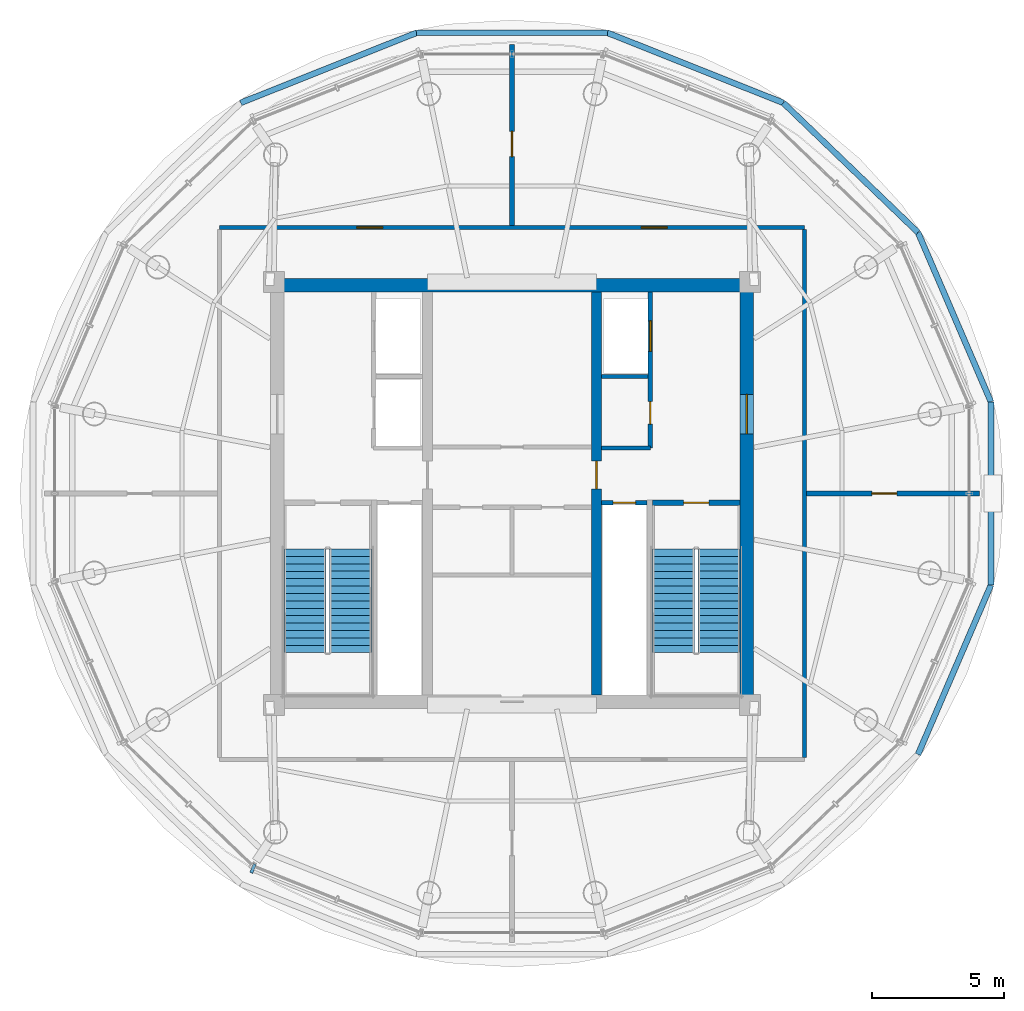
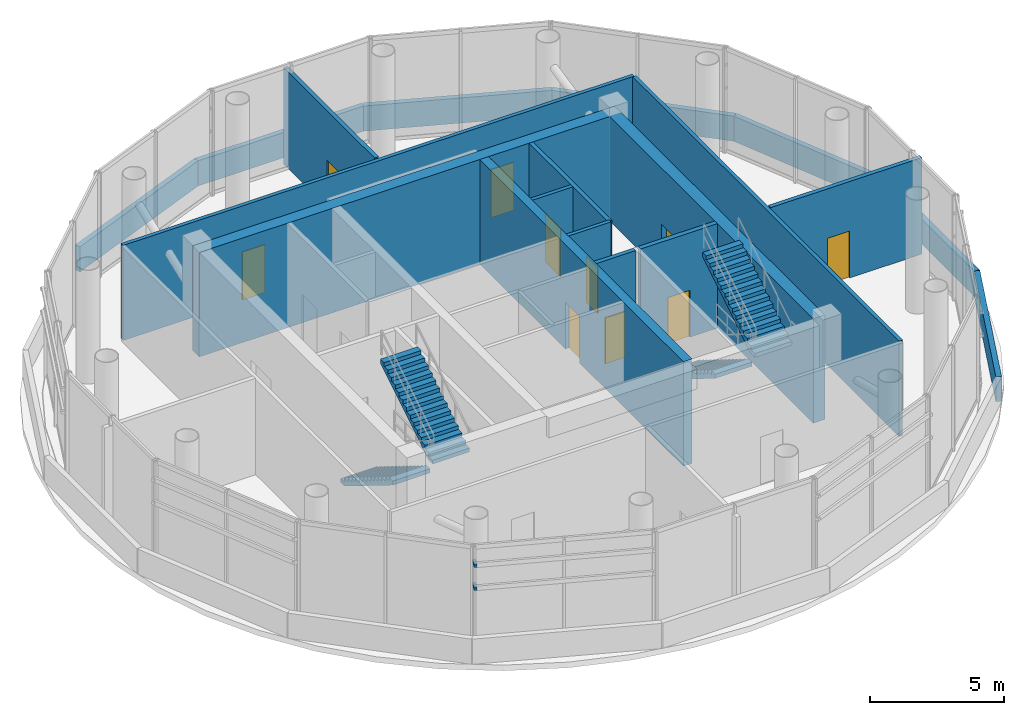
# One storey, part 12 of 15: 19 walls, 10 doors, 4 stair flights, 2 discrete accessories, 10 openings, 2 elements without a shape of their own.
"""IFC4 building model written with IfcOpenShell, lengths in metres."""

from ifc_helpers import new_model, si_unit, direction, frame, frame_2d, origin, origin_2d, place, context, subcontext, project, spatial, polyline, rectangle, outline, extrude, source, transform, mapped, material, layer, layer_set, type_object, element, fill, aggregate, save


model = new_model("IFC4")

# Units and contexts
model_context = context("Model", 3, precision=1e-05, world=origin(), true_north=direction((-0.2419218956, 0.970295726276)))
body_context = subcontext(model_context, "Body", "Model", "MODEL_VIEW")
ifc_project = project(units=[si_unit("LENGTHUNIT", "METRE"), si_unit("AREAUNIT", "SQUARE_METRE"), si_unit("VOLUMEUNIT", "CUBIC_METRE"), si_unit("PLANEANGLEUNIT", "RADIAN"), si_unit("MASSUNIT", "GRAM", prefix="KILO")], contexts=[model_context])

# Site, building, storey
site_placement = place(None, origin())
site = spatial("IfcSite", under=ifc_project, at=site_placement, CompositionType="ELEMENT")
building_placement = place(site_placement, origin())
building = spatial("IfcBuilding", under=site, at=building_placement, Name="Cobrevalo Terracotta Tower", CompositionType="ELEMENT")
storey_placement = place(building_placement, frame((0.0, 0.0, 306.10009765625)))
storey = spatial("IfcBuildingStorey", under=building, at=storey_placement, Name="L80", CompositionType="ELEMENT", Elevation=306.10009765625)

# Wall
ifc_material_1 = material(Name="Concrete C50", Category="concrete")
ifc_layer_1 = layer(ifc_material_1, 0.5)
ifc_layer_set_1 = layer_set([ifc_layer_1], Name="Concrete C50")
wall_type_1 = type_object("IfcWallType", Name="Crown core shear wall 500 mm Concrete C50", PredefinedType="SHEAR", material=ifc_layer_set_1)
wall_1_placement = place(storey_placement, frame((28.875, 34.675048828125, 0.0), z_axis=(0.0, 0.0, 1.0), x_axis=(1.0, 0.0, 0.0)))
element("IfcWall", 1, at=wall_1_placement, inside=storey, type_object=wall_type_1, Name="L80 north core shear wall", PredefinedType="SHEAR", context=body_context, shape_type="SweptSolid", body=[
    extrude(rectangle(XDim=18.25, YDim=0.5, at=frame_2d((9.125, 0.0))), origin(), (0.0, 0.0, 1.0), 4.77978515625),
])

# Wall, opening, door
wall_2_placement = place(storey_placement, frame((46.875, 19.175048828125, 0.0), z_axis=(0.0, 0.0, 1.0), x_axis=(0.0, 1.0, 0.0)))
wall_2 = element("IfcWall", 2, at=wall_2_placement, inside=storey, type_object=wall_type_1, Name="L80 east core shear wall", PredefinedType="SHEAR", context=body_context, shape_type="SweptSolid", body=[
    extrude(rectangle(XDim=15.25, YDim=0.5, at=frame_2d((7.625, 0.0))), origin(), (0.0, 0.0, 1.0), 4.77978515625),
])
opening_1_placement = place(wall_2_placement, frame((9.875, 0.0, 0.0)))
opening_1 = element("IfcOpeningElement", 3, at=opening_1_placement, cuts=wall_2, Name="Opening ID-14", PredefinedType="OPENING", context=body_context, shape_type="SweptSolid", body=[
    extrude(rectangle(XDim=1.5, YDim=2.199951171875, at=frame_2d((0.75, 1.10009765625))), frame((0.0, 0.260009765625, 0.0), z_axis=(0.0, -1.0, 0.0), x_axis=(1.0, 0.0, 0.0)), (0.0, 0.0, 1.0), 0.52001953125),
])
ifc_material_2 = material(Name="Galvanized fire-rated steel", Category="steel")
door_type_1 = type_object("IfcDoorType", Name="Core cross-lobby double fire door 1500x2200 EI 90", OperationType="NOTDEFINED", PredefinedType="DOOR", material=ifc_material_2)
shared_shape_1 = source(origin(), body_context, "Body", "SweptSolid", [
    extrude(rectangle(XDim=1.5, YDim=2.199951171875, at=frame_2d((0.75, 1.10009765625))), frame((0.0, 0.02490234375, 0.0), z_axis=(0.0, -1.0, 0.0), x_axis=(1.0, 0.0, 0.0)), (0.0, 0.0, 1.0), 0.050048828125),
])
door_1_placement = place(opening_1_placement, frame((1.5, 0.0, 0.0), z_axis=(0.0, 0.0, 1.0), x_axis=(-1.0, 0.0, 0.0)))
door_1 = element("IfcDoor", 4, at=door_1_placement, inside=storey, type_object=door_type_1, Name="L80 east firefighting lobby entrance door", OperationType="DOUBLE_DOOR_SINGLE_SWING", OverallHeight=2.199951171875, OverallWidth=1.5, PredefinedType="DOOR", context=body_context, shape_type="MappedRepresentation", body=[
    mapped(shared_shape_1, transform((0.0, 0.0, 0.0), scale=1.0)),
])
fill(opening_1, door_1)

# Walls
ifc_material_3 = material(Name="Gypsum board on steel stud", Category="steel")
ifc_layer_2 = layer(ifc_material_3, 0.159912109375)
ifc_layer_set_2 = layer_set([ifc_layer_2], Name="Gypsum board on steel stud")
wall_type_2 = type_object("IfcWallType", Name="Fire-rated corridor acoustic partition wall 160 mm", PredefinedType="PARTITIONING", material=ifc_layer_set_2)
wall_3_placement = place(storey_placement, frame((41.389892578125, 31.219970703125, 0.0), z_axis=(0.0, 0.0, 1.0), x_axis=(1.0, 0.0, 0.0)))
element("IfcWall", 5, at=wall_3_placement, inside=storey, type_object=wall_type_2, Name="L80 interior partition IW-L80-FF2-M", PredefinedType="PARTITIONING", context=body_context, shape_type="SweptSolid", body=[
    extrude(rectangle(XDim=1.75, YDim=0.159912109375, at=frame_2d((0.875, 0.0))), origin(), (0.0, 0.0, 1.0), 4.77978515625),
])
wall_4_placement = place(storey_placement, frame((41.389892578125, 28.52001953125, 0.0), z_axis=(0.0, 0.0, 1.0), x_axis=(1.0, 0.0, 0.0)))
element("IfcWall", 6, at=wall_4_placement, inside=storey, type_object=wall_type_2, Name="L80 interior partition IW-L80-FF2-S", PredefinedType="PARTITIONING", context=body_context, shape_type="SweptSolid", body=[
    extrude(rectangle(XDim=1.840087890625, YDim=0.159912109375, at=frame_2d((0.919921875, 0.0))), origin(), (0.0, 0.0, 1.0), 4.77978515625),
])

# Wall, openings, doors
wall_5_placement = place(storey_placement, frame((26.945068359375, 36.85498046875, 0.0), z_axis=(0.0, 0.0, 1.0), x_axis=(1.0, 0.0, 0.0)))
wall_5 = element("IfcWall", 7, at=wall_5_placement, inside=storey, type_object=wall_type_2, Name="L80 interior partition IW-L80-COR-N", PredefinedType="PARTITIONING", context=body_context, shape_type="SweptSolid", body=[
    extrude(rectangle(XDim=22.10986328125, YDim=0.159912109375, at=frame_2d((11.054931640625, 0.0))), origin(), (0.0, 0.0, 1.0), 4.351806640625),
])
opening_2_placement = place(wall_5_placement, frame((15.943115234375, 0.0, 0.0)))
opening_2 = element("IfcOpeningElement", 8, at=opening_2_placement, cuts=wall_5, Name="Opening ID-05", PredefinedType="OPENING", context=body_context, shape_type="SweptSolid", body=[
    extrude(rectangle(XDim=0.97998046875, YDim=2.199951171875, at=frame_2d((0.489990234375, 1.10009765625))), frame((0.0, 0.08984375, 0.0), z_axis=(0.0, -1.0, 0.0), x_axis=(1.0, 0.0, 0.0)), (0.0, 0.0, 1.0), 0.179931640625),
])
opening_3_placement = place(wall_5_placement, frame((5.18701171875, 0.0, 0.0)))
opening_3 = element("IfcOpeningElement", 9, at=opening_3_placement, cuts=wall_5, Name="Opening ID-05", PredefinedType="OPENING", context=body_context, shape_type="SweptSolid", body=[
    extrude(rectangle(XDim=0.97998046875, YDim=2.199951171875, at=frame_2d((0.489990234375, 1.10009765625))), frame((0.0, 0.08984375, 0.0), z_axis=(0.0, -1.0, 0.0), x_axis=(1.0, 0.0, 0.0)), (0.0, 0.0, 1.0), 0.179931640625),
])
ifc_material_4 = material(Name="Solid hardwood timber", Category="wood")
door_type_2 = type_object("IfcDoorType", Name="Residence entrance fire-rated acoustic timber door 980x2200 EI 60", OperationType="NOTDEFINED", PredefinedType="DOOR", material=ifc_material_4)
shared_shape_2 = source(origin(), body_context, "Body", "SweptSolid", [
    extrude(rectangle(XDim=0.97998046875, YDim=2.199951171875, at=frame_2d((0.489990234375, 1.10009765625))), frame((0.0, 0.02490234375, 0.0), z_axis=(0.0, -1.0, 0.0), x_axis=(1.0, 0.0, 0.0)), (0.0, 0.0, 1.0), 0.050048828125),
])
door_2_placement = place(opening_2_placement, origin())
door_2 = element("IfcDoor", 10, at=door_2_placement, inside=storey, type_object=door_type_2, Name="L80 Crown Cooling Tower Plant door", OperationType="SINGLE_SWING_LEFT", OverallHeight=2.199951171875, OverallWidth=0.97998046875, PredefinedType="DOOR", context=body_context, shape_type="MappedRepresentation", body=[
    mapped(shared_shape_2, transform((0.0, 0.0, 0.0), scale=1.0)),
])
fill(opening_2, door_2)
door_3_placement = place(opening_3_placement, origin())
door_3 = element("IfcDoor", 11, at=door_3_placement, inside=storey, type_object=door_type_2, Name="L80 Crown Chiller Plant door", OperationType="SINGLE_SWING_RIGHT", OverallHeight=2.199951171875, OverallWidth=0.97998046875, PredefinedType="DOOR", context=body_context, shape_type="MappedRepresentation", body=[
    mapped(shared_shape_2, transform((0.0, 0.0, 0.0), scale=1.0)),
])
fill(opening_3, door_3)

# Wall
wall_6_placement = place(storey_placement, frame((49.054931640625, 16.824951171875, 0.0), z_axis=(0.0, 0.0, 1.0), x_axis=(0.0, 1.0, 0.0)))
element("IfcWall", 12, at=wall_6_placement, inside=storey, type_object=wall_type_2, Name="L80 interior partition IW-L80-COR-E", PredefinedType="PARTITIONING", context=body_context, shape_type="SweptSolid", body=[
    extrude(rectangle(XDim=19.949951171875, YDim=0.159912109375, at=frame_2d((9.97509765625, 0.0))), origin(), (0.0, 0.0, 1.0), 4.351806640625),
])

# Wall, opening, door
ifc_layer_3 = layer(ifc_material_3, 0.179931640625)
ifc_layer_set_3 = layer_set([ifc_layer_3], Name="Gypsum board on steel stud")
wall_type_3 = type_object("IfcWallType", Name="Fire-rated shaft & lobby acoustic partition wall 180 mm", PredefinedType="PARTITIONING", material=ifc_layer_set_3)
wall_7_placement = place(storey_placement, frame((41.389892578125, 26.449951171875, 0.0), z_axis=(0.0, 0.0, 1.0), x_axis=(1.0, 0.0, 0.0)))
wall_7 = element("IfcWall", 13, at=wall_7_placement, inside=storey, type_object=wall_type_3, Name="L80 interior partition IW-L80-RSE-N", PredefinedType="PARTITIONING", context=body_context, shape_type="SweptSolid", body=[
    extrude(rectangle(XDim=1.710205078125, YDim=0.179931640625, at=frame_2d((0.85498046875, 0.0))), origin(), (0.0, 0.0, 1.0), 4.77978515625),
])
opening_4_placement = place(wall_7_placement, frame((0.429931640625, 0.0, 0.0)))
opening_4 = element("IfcOpeningElement", 14, at=opening_4_placement, cuts=wall_7, Name="Opening ID-22", PredefinedType="OPENING", context=body_context, shape_type="SweptSolid", body=[
    extrude(rectangle(XDim=0.85009765625, YDim=2.10009765625, at=frame_2d((0.425048828125, 1.050048828125))), frame((0.0, 0.10009765625, 0.0), z_axis=(0.0, -1.0, 0.0), x_axis=(1.0, 0.0, 0.0)), (0.0, 0.0, 1.0), 0.199951171875),
])
ifc_material_5 = material(Name="Powder-coated steel", Category="steel")
door_type_3 = type_object("IfcDoorType", Name="Riser shaft & meter closet fire access door 850x2100 EI 60", OperationType="NOTDEFINED", PredefinedType="DOOR", material=ifc_material_5)
shared_shape_3 = source(origin(), body_context, "Body", "SweptSolid", [
    extrude(rectangle(XDim=0.85009765625, YDim=2.10009765625, at=frame_2d((0.425048828125, 1.050048828125))), frame((0.0, 0.02490234375, 0.0), z_axis=(0.0, -1.0, 0.0), x_axis=(1.0, 0.0, 0.0)), (0.0, 0.0, 1.0), 0.050048828125),
])
door_4_placement = place(opening_4_placement, origin())
door_4 = element("IfcDoor", 15, at=door_4_placement, inside=storey, type_object=door_type_3, Name="L80 riser access door RSE", OperationType="SINGLE_SWING_RIGHT", OverallHeight=2.10009765625, OverallWidth=0.85009765625, PredefinedType="DOOR", context=body_context, shape_type="MappedRepresentation", body=[
    mapped(shared_shape_3, transform((0.0, 0.0, 0.0), scale=1.0)),
])
fill(opening_4, door_4)

# Wall, openings, doors
wall_8_placement = place(storey_placement, frame((43.22998046875, 28.52001953125, 0.0), z_axis=(0.0, 0.0, 1.0), x_axis=(0.0, 1.0, 0.0)))
wall_8 = element("IfcWall", 16, at=wall_8_placement, inside=storey, type_object=wall_type_3, Name="L80 interior partition IW-L80-FF2-E", PredefinedType="PARTITIONING", context=body_context, shape_type="SweptSolid", body=[
    extrude(rectangle(XDim=5.905029296875, YDim=0.179931640625, at=frame_2d((2.95263671875, 0.0))), origin(), (0.0, 0.0, 1.0), 4.77978515625),
])
opening_5_placement = place(wall_8_placement, frame((0.905029296875, 0.0, 0.0)))
opening_5 = element("IfcOpeningElement", 17, at=opening_5_placement, cuts=wall_8, Name="Opening ID-22", PredefinedType="OPENING", context=body_context, shape_type="SweptSolid", body=[
    extrude(rectangle(XDim=0.85009765625, YDim=2.10009765625, at=frame_2d((0.425048828125, 1.050048828125))), frame((0.0, 0.10009765625, 0.0), z_axis=(0.0, -1.0, 0.0), x_axis=(1.0, 0.0, 0.0)), (0.0, 0.0, 1.0), 0.199951171875),
])
opening_6_placement = place(wall_8_placement, frame((3.655029296875, 0.0, 0.0)))
opening_6 = element("IfcOpeningElement", 18, at=opening_6_placement, cuts=wall_8, Name="Opening LD-02", PredefinedType="OPENING", context=body_context, shape_type="SweptSolid", body=[
    extrude(rectangle(XDim=1.14990234375, YDim=2.199951171875, at=frame_2d((0.574951171875, 1.10009765625))), frame((0.0, 0.10009765625, 0.0), z_axis=(0.0, -1.0, 0.0), x_axis=(1.0, 0.0, 0.0)), (0.0, 0.0, 1.0), 0.199951171875),
])
door_5_placement = place(opening_5_placement, frame((0.85009765625, 0.0, 0.0), z_axis=(0.0, 0.0, 1.0), x_axis=(-1.0, 0.0, 0.0)))
door_5 = element("IfcDoor", 19, at=door_5_placement, inside=storey, type_object=door_type_3, Name="L80 housekeeping store door", OperationType="SINGLE_SWING_RIGHT", OverallHeight=2.10009765625, OverallWidth=0.85009765625, PredefinedType="DOOR", context=body_context, shape_type="MappedRepresentation", body=[
    mapped(shared_shape_3, transform((0.0, 0.0, 0.0), scale=1.0)),
])
fill(opening_5, door_5)
ifc_material_6 = material(Name="Brushed stainless steel", Category="steel")
door_type_4 = type_object("IfcDoorType", Name="Firefighting lift landing bi-parting sliding door 1150x2200 EI 120", OperationType="DOUBLE_DOOR_SLIDING", PredefinedType="DOOR", material=ifc_material_6)
shared_shape_4 = source(origin(), body_context, "Body", "SweptSolid", [
    extrude(rectangle(XDim=1.14990234375, YDim=2.199951171875, at=frame_2d((0.574951171875, 1.10009765625))), frame((0.0, 0.02490234375, 0.0), z_axis=(0.0, -1.0, 0.0), x_axis=(1.0, 0.0, 0.0)), (0.0, 0.0, 1.0), 0.050048828125),
])
door_6_placement = place(opening_6_placement, origin())
door_6 = element("IfcDoor", 20, at=door_6_placement, inside=storey, type_object=door_type_4, Name="L80 lift landing door FF-2", OperationType="DOUBLE_DOOR_SLIDING", OverallHeight=2.199951171875, OverallWidth=1.14990234375, PredefinedType="DOOR", context=body_context, shape_type="MappedRepresentation", body=[
    mapped(shared_shape_4, transform((0.0, 0.0, 0.0), scale=1.0)),
])
fill(opening_6, door_6)

# Wall, opening, door
wall_9_placement = place(storey_placement, frame((49.136962890625, 26.800048828125, 0.0), z_axis=(0.0, 0.0, 1.0), x_axis=(1.0, 0.0, 0.0)))
wall_9 = element("IfcWall", 21, at=wall_9_placement, inside=storey, type_object=wall_type_3, Name="L80 interior partition IW-L80-CW1", PredefinedType="PARTITIONING", context=body_context, shape_type="SweptSolid", body=[
    extrude(rectangle(XDim=6.532958984375, YDim=0.179931640625, at=frame_2d((3.2666015625, 0.0))), origin(), (0.0, 0.0, 1.0), 4.410888671875),
])
opening_7_placement = place(wall_9_placement, frame((2.46484375, 0.0, 0.0)))
opening_7 = element("IfcOpeningElement", 22, at=opening_7_placement, cuts=wall_9, Name="Opening ID-04", PredefinedType="OPENING", context=body_context, shape_type="SweptSolid", body=[
    extrude(rectangle(XDim=0.949951171875, YDim=2.14990234375, at=frame_2d((0.47509765625, 1.074951171875))), frame((0.0, 0.10009765625, 0.0), z_axis=(0.0, -1.0, 0.0), x_axis=(1.0, 0.0, 0.0)), (0.0, 0.0, 1.0), 0.199951171875),
])
door_type_5 = type_object("IfcDoorType", Name="Stair & firefighting lobby fire door 950x2150 EI 90", OperationType="NOTDEFINED", PredefinedType="DOOR", material=ifc_material_2)
shared_shape_5 = source(origin(), body_context, "Body", "SweptSolid", [
    extrude(rectangle(XDim=0.949951171875, YDim=2.14990234375, at=frame_2d((0.47509765625, 1.074951171875))), frame((0.0, 0.02490234375, 0.0), z_axis=(0.0, -1.0, 0.0), x_axis=(1.0, 0.0, 0.0)), (0.0, 0.0, 1.0), 0.050048828125),
])
door_7_placement = place(opening_7_placement, origin())
door_7 = element("IfcDoor", 23, at=door_7_placement, inside=storey, type_object=door_type_5, Name="L80 crown plant interconnecting fire door 1", OperationType="SINGLE_SWING_LEFT", OverallHeight=2.14990234375, OverallWidth=0.949951171875, PredefinedType="DOOR", context=body_context, shape_type="MappedRepresentation", body=[
    mapped(shared_shape_5, transform((0.0, 0.0, 0.0), scale=1.0)),
])
fill(opening_7, door_7)

wall_10_placement = place(storey_placement, frame((38.0, 36.93701171875, 0.0), z_axis=(0.0, 0.0, 1.0), x_axis=(0.0, 1.0, 0.0)))
wall_10 = element("IfcWall", 24, at=wall_10_placement, inside=storey, type_object=wall_type_3, Name="L80 interior partition IW-L80-CW2", PredefinedType="PARTITIONING", context=body_context, shape_type="SweptSolid", body=[
    extrude(rectangle(XDim=6.8330078125, YDim=0.179931640625, at=frame_2d((3.41650390625, 0.0))), origin(), (0.0, 0.0, 1.0), 4.410888671875),
])
opening_8_placement = place(wall_10_placement, frame((2.599853515625, 0.0, 0.0)))
opening_8 = element("IfcOpeningElement", 25, at=opening_8_placement, cuts=wall_10, Name="Opening ID-04", PredefinedType="OPENING", context=body_context, shape_type="SweptSolid", body=[
    extrude(rectangle(XDim=0.949951171875, YDim=2.14990234375, at=frame_2d((0.47509765625, 1.074951171875))), frame((0.0, 0.10009765625, 0.0), z_axis=(0.0, -1.0, 0.0), x_axis=(1.0, 0.0, 0.0)), (0.0, 0.0, 1.0), 0.199951171875),
])
door_8_placement = place(opening_8_placement, origin())
door_8 = element("IfcDoor", 26, at=door_8_placement, inside=storey, type_object=door_type_5, Name="L80 crown plant interconnecting fire door 2", OperationType="SINGLE_SWING_LEFT", OverallHeight=2.14990234375, OverallWidth=0.949951171875, PredefinedType="DOOR", context=body_context, shape_type="MappedRepresentation", body=[
    mapped(shared_shape_5, transform((0.0, 0.0, 0.0), scale=1.0)),
])
fill(opening_8, door_8)

ifc_layer_4 = layer(ifc_material_1, 0.3798828125)
ifc_layer_set_4 = layer_set([ifc_layer_4], Name="Concrete C50")
wall_type_4 = type_object("IfcWallType", Name="Internal core shear web wall 380 mm Concrete C50", PredefinedType="SHEAR", material=ifc_layer_set_4)
wall_11_placement = place(storey_placement, frame((41.199951171875, 19.175048828125, 0.0), z_axis=(0.0, 0.0, 1.0), x_axis=(0.0, 1.0, 0.0)))
wall_11 = element("IfcWall", 27, at=wall_11_placement, inside=storey, type_object=wall_type_4, Name="L80 internal core shear wall WEB-E", PredefinedType="SHEAR", context=body_context, shape_type="SweptSolid", body=[
    extrude(rectangle(XDim=15.25, YDim=0.3798828125, at=frame_2d((7.625, 0.0))), origin(), (0.0, 0.0, 1.0), 4.77978515625),
])
opening_9_placement = place(wall_11_placement, frame((7.800048828125, 0.0, 0.0)))
opening_9 = element("IfcOpeningElement", 28, at=opening_9_placement, cuts=wall_11, Name="Opening ID-11", PredefinedType="OPENING", context=body_context, shape_type="SweptSolid", body=[
    extrude(rectangle(XDim=1.050048828125, YDim=2.14990234375, at=frame_2d((0.52490234375, 1.074951171875))), frame((0.0, 0.199951171875, 0.0), z_axis=(0.0, -1.0, 0.0), x_axis=(1.0, 0.0, 0.0)), (0.0, 0.0, 1.0), 0.39990234375),
])
door_type_6 = type_object("IfcDoorType", Name="Core concourse cross fire door 1050x2150 EI 90", OperationType="NOTDEFINED", PredefinedType="DOOR", material=ifc_material_2)
shared_shape_6 = source(origin(), body_context, "Body", "SweptSolid", [
    extrude(rectangle(XDim=1.050048828125, YDim=2.14990234375, at=frame_2d((0.52490234375, 1.074951171875))), frame((0.0, 0.02490234375, 0.0), z_axis=(0.0, -1.0, 0.0), x_axis=(1.0, 0.0, 0.0)), (0.0, 0.0, 1.0), 0.050048828125),
])
door_9_placement = place(opening_9_placement, frame((1.050048828125, 0.0, 0.0), z_axis=(0.0, 0.0, 1.0), x_axis=(-1.0, 0.0, 0.0)))
door_9 = element("IfcDoor", 29, at=door_9_placement, inside=storey, type_object=door_type_6, Name="L80 east core concourse cross door", OperationType="SINGLE_SWING_RIGHT", OverallHeight=2.14990234375, OverallWidth=1.050048828125, PredefinedType="DOOR", context=body_context, shape_type="MappedRepresentation", body=[
    mapped(shared_shape_6, transform((0.0, 0.0, 0.0), scale=1.0)),
])
fill(opening_9, door_9)

# Walls
ifc_material_7 = material(Name="Precast concrete C45", Category="concrete")
ifc_layer_5 = layer(ifc_material_7, 0.219970703125)
ifc_layer_set_5 = layer_set([ifc_layer_5], Name="Precast concrete C45")
wall_type_5 = type_object("IfcWallType", Name="Precast concrete roof and setback terrace parapet wall 220 mm", PredefinedType="PARAPET", material=ifc_layer_set_5)
wall_12_placement = place(storey_placement, frame((56.105224609375, 30.264892578125, 0.0), z_axis=(0.0, 0.0, 1.0), x_axis=(-0.39544480712, 0.918489741109, 0.0)))
element("IfcWall", 30, at=wall_12_placement, inside=storey, type_object=wall_type_5, Name="L80 crown step-back parapet 01", PredefinedType="PARAPET", context=body_context, shape_type="SweptSolid", body=[
    extrude(rectangle(XDim=6.97021484375, YDim=0.219970703125, at=frame_2d((3.485107421875, 0.0))), origin(), (0.0, 0.0, 1.0), 1.14990234375),
])
wall_13_placement = place(storey_placement, frame((53.348876953125, 36.6669921875, 0.0), z_axis=(0.0, 0.0, 1.0), x_axis=(-0.720637211965, 0.693312345723, 0.0)))
element("IfcWall", 31, at=wall_13_placement, inside=storey, type_object=wall_type_5, Name="L80 crown step-back parapet 02", PredefinedType="PARAPET", context=body_context, shape_type="SweptSolid", body=[
    extrude(rectangle(XDim=7.0673828125, YDim=0.219970703125, at=frame_2d((3.53369140625, 0.0))), origin(), (0.0, 0.0, 1.0), 1.14990234375),
])
wall_14_placement = place(storey_placement, frame((48.255859375, 41.56689453125, 0.0), z_axis=(0.0, 0.0, 1.0), x_axis=(-0.928955406434, 0.370191643419, 0.0)))
element("IfcWall", 32, at=wall_14_placement, inside=storey, type_object=wall_type_5, Name="L80 crown step-back parapet 03", PredefinedType="PARAPET", context=body_context, shape_type="SweptSolid", body=[
    extrude(rectangle(XDim=7.16357421875, YDim=0.219970703125, at=frame_2d((3.581787109375, 0.0))), origin(), (0.0, 0.0, 1.0), 1.14990234375),
])
wall_15_placement = place(storey_placement, frame((41.601318359375, 44.21875, 0.0), z_axis=(0.0, 0.0, 1.0), x_axis=(-1.0, 0.0, 0.0)))
element("IfcWall", 33, at=wall_15_placement, inside=storey, type_object=wall_type_5, Name="L80 crown step-back parapet 04", PredefinedType="PARAPET", context=body_context, shape_type="SweptSolid", body=[
    extrude(rectangle(XDim=7.20263671875, YDim=0.219970703125, at=frame_2d((3.601318359375, 0.0))), origin(), (0.0, 0.0, 1.0), 1.14990234375),
])
wall_16_placement = place(storey_placement, frame((34.398681640625, 44.21875, 0.0), z_axis=(0.0, 0.0, 1.0), x_axis=(-0.928955406434, -0.370191643419, 0.0)))
element("IfcWall", 34, at=wall_16_placement, inside=storey, type_object=wall_type_5, Name="L80 crown step-back parapet 05", PredefinedType="PARAPET", context=body_context, shape_type="SweptSolid", body=[
    extrude(rectangle(XDim=7.16357421875, YDim=0.219970703125, at=frame_2d((3.581787109375, 0.0))), origin(), (0.0, 0.0, 1.0), 1.14990234375),
])
wall_17_placement = place(storey_placement, frame((53.348876953125, 16.93310546875, 0.0), z_axis=(0.0, 0.0, 1.0), x_axis=(0.39544480712, 0.918489741109, 0.0)))
element("IfcWall", 35, at=wall_17_placement, inside=storey, type_object=wall_type_5, Name="L80 crown step-back parapet 15", PredefinedType="PARAPET", context=body_context, shape_type="SweptSolid", body=[
    extrude(rectangle(XDim=6.97021484375, YDim=0.219970703125, at=frame_2d((3.485107421875, 0.0))), origin(), (0.0, 0.0, 1.0), 1.14990234375),
])
wall_18_placement = place(storey_placement, frame((56.105224609375, 23.335205078125, 0.0), z_axis=(0.0, 0.0, 1.0), x_axis=(0.0, 1.0, 0.0)))
element("IfcWall", 36, at=wall_18_placement, inside=storey, type_object=wall_type_5, Name="L80 crown step-back parapet 16", PredefinedType="PARAPET", context=body_context, shape_type="SweptSolid", body=[
    extrude(rectangle(XDim=6.9296875, YDim=0.219970703125, at=frame_2d((3.46484375, 0.0))), origin(), (0.0, 0.0, 1.0), 1.14990234375),
])

# Wall, opening, door
ifc_layer_6 = layer(ifc_material_1, 0.199951171875)
ifc_layer_set_6 = layer_set([ifc_layer_6], Name="Concrete C50")
wall_type_6 = type_object("IfcWallType", Name="Structural core & podium stair-shaft RC wall 200 mm Concrete C50", PredefinedType="SOLIDWALL", material=ifc_layer_set_6)
wall_19_placement = place(storey_placement, frame((43.304931640625, 26.449951171875, 0.0), z_axis=(0.0, 0.0, 1.0), x_axis=(1.0, 0.0, 0.0)))
wall_19 = element("IfcWall", 37, at=wall_19_placement, inside=storey, type_object=wall_type_6, Name="L80 ST-2 north structural shaft wall", PredefinedType="SOLIDWALL", context=body_context, shape_type="SweptSolid", body=[
    extrude(rectangle(XDim=3.320068359375, YDim=0.199951171875, at=frame_2d((1.66015625, 0.0))), origin(), (0.0, 0.0, 1.0), 4.77978515625),
])
opening_10_placement = place(wall_19_placement, frame((1.18505859375, 0.0, 0.0)))
opening_10 = element("IfcOpeningElement", 38, at=opening_10_placement, cuts=wall_19, Name="Opening ID-04", PredefinedType="OPENING", context=body_context, shape_type="SweptSolid", body=[
    extrude(rectangle(XDim=0.949951171875, YDim=2.14990234375, at=frame_2d((0.47509765625, 1.074951171875))), frame((0.0, 0.10986328125, 0.0), z_axis=(0.0, -1.0, 0.0), x_axis=(1.0, 0.0, 0.0)), (0.0, 0.0, 1.0), 0.219970703125),
])
door_10_placement = place(opening_10_placement, frame((0.949951171875, 0.0, 0.0), z_axis=(0.0, 0.0, 1.0), x_axis=(-1.0, 0.0, 0.0)))
door_10 = element("IfcDoor", 39, at=door_10_placement, inside=storey, type_object=door_type_5, Name="L80 protected stair ST2 fire door", OperationType="SINGLE_SWING_RIGHT", OverallHeight=2.14990234375, OverallWidth=0.949951171875, PredefinedType="DOOR", context=body_context, shape_type="MappedRepresentation", body=[
    mapped(shared_shape_5, transform((0.0, 0.0, 0.0), scale=1.0)),
])
fill(opening_10, door_10)

# Stair, stair flights
stair_type = type_object("IfcStairType", Name="Core protected escape dogleg stair 1600", PredefinedType="HALF_TURN_STAIR", material=ifc_material_1)
stair_1_placement = place(storey_placement, origin())
stair_1 = element("IfcStair", 40, at=stair_1_placement, inside=storey, type_object=stair_type, Name="L80 Protected exit stair ST-1", PredefinedType="HALF_TURN_STAIR")
stair_flight_type = type_object("IfcStairFlightType", Name="Core protected escape dogleg stair 1600 flight", PredefinedType="STRAIGHT", material=ifc_material_1)
stair_flight_1_placement = place(storey_placement, frame((30.175048828125, 24.699951171875, 0.0), z_axis=(0.0, 0.0, 1.0), x_axis=(0.0, -1.0, 0.0)))
stair_flight_1 = element("IfcStairFlight", 41, at=stair_flight_1_placement, type_object=stair_flight_type, Name="ST-1 flight 1", NumberOfRisers=15, NumberOfTreads=14, PredefinedType="STRAIGHT", RiserHeight=0.173333333, TreadLength=0.28, context=body_context, shape_type="SweptSolid", body=[
    extrude(outline(polyline([(0.0, 0.0), (0.0, 0.17333984375), (0.280029296875, 0.17333984375), (0.280029296875, 0.3466796875), (0.56005859375, 0.3466796875), (0.56005859375, 0.52001953125), (0.840087890625, 0.52001953125), (0.840087890625, 0.693359375), (1.1201171875, 0.693359375), (1.1201171875, 0.86669921875), (1.39990234375, 0.86669921875), (1.39990234375, 1.0400390625), (1.679931640625, 1.0400390625), (1.679931640625, 1.21337890625), (1.9599609375, 1.21337890625), (1.9599609375, 1.38671875), (2.239990234375, 1.38671875), (2.239990234375, 1.56005859375), (2.52001953125, 1.56005859375), (2.52001953125, 1.7333984375), (2.800048828125, 1.7333984375), (2.800048828125, 1.90673828125), (3.080078125, 1.90673828125), (3.080078125, 2.080078125), (3.360107421875, 2.080078125), (3.360107421875, 2.25341796875), (3.639892578125, 2.25341796875), (3.639892578125, 2.4267578125), (3.919921875, 2.4267578125), (3.919921875, 2.60009765625), (3.919921875, 2.238525390625), (0.3037109375, 0.0), (0.0, 0.0)])), frame((0.0, 0.800048828125, 0.0), z_axis=(0.0, -1.0, 0.0), x_axis=(1.0, 0.0, 0.0)), (0.0, 0.0, 1.0), 1.60009765625),
])
stair_flight_2_placement = place(storey_placement, frame((31.89501953125, 20.780029296875, 2.599853515625), z_axis=(0.0, 0.0, 1.0), x_axis=(0.0, 1.0, 0.0)))
stair_flight_2 = element("IfcStairFlight", 42, at=stair_flight_2_placement, type_object=stair_flight_type, Name="ST-1 flight 2", NumberOfRisers=15, NumberOfTreads=14, PredefinedType="STRAIGHT", RiserHeight=0.173333333, TreadLength=0.28, context=body_context, shape_type="SweptSolid", body=[
    extrude(outline(polyline([(0.0, 0.0), (0.0, 0.17333984375), (0.280029296875, 0.17333984375), (0.280029296875, 0.3466796875), (0.56005859375, 0.3466796875), (0.56005859375, 0.52001953125), (0.840087890625, 0.52001953125), (0.840087890625, 0.693359375), (1.1201171875, 0.693359375), (1.1201171875, 0.86669921875), (1.39990234375, 0.86669921875), (1.39990234375, 1.0400390625), (1.679931640625, 1.0400390625), (1.679931640625, 1.21337890625), (1.9599609375, 1.21337890625), (1.9599609375, 1.38671875), (2.239990234375, 1.38671875), (2.239990234375, 1.56005859375), (2.52001953125, 1.56005859375), (2.52001953125, 1.7333984375), (2.800048828125, 1.7333984375), (2.800048828125, 1.90673828125), (3.080078125, 1.90673828125), (3.080078125, 2.080078125), (3.360107421875, 2.080078125), (3.360107421875, 2.25341796875), (3.639892578125, 2.25341796875), (3.639892578125, 2.4267578125), (3.919921875, 2.4267578125), (3.919921875, 2.60009765625), (3.919921875, 2.238525390625), (0.3037109375, 0.0), (0.0, 0.0)])), frame((0.0, 0.800048828125, 0.0), z_axis=(0.0, -1.0, 0.0), x_axis=(1.0, 0.0, 0.0)), (0.0, 0.0, 1.0), 1.60009765625),
])
aggregate(stair_1, [stair_flight_1, stair_flight_2])

stair_2_placement = place(storey_placement, origin())
stair_2 = element("IfcStair", 43, at=stair_2_placement, inside=storey, type_object=stair_type, Name="L80 Protected exit stair ST-2", PredefinedType="HALF_TURN_STAIR")
stair_flight_3_placement = place(storey_placement, frame((44.10498046875, 24.699951171875, 0.0), z_axis=(0.0, 0.0, 1.0), x_axis=(0.0, -1.0, 0.0)))
stair_flight_3 = element("IfcStairFlight", 44, at=stair_flight_3_placement, type_object=stair_flight_type, Name="ST-2 flight 1", NumberOfRisers=15, NumberOfTreads=14, PredefinedType="STRAIGHT", RiserHeight=0.173333333, TreadLength=0.28, context=body_context, shape_type="SweptSolid", body=[
    extrude(outline(polyline([(0.0, 0.0), (0.0, 0.17333984375), (0.280029296875, 0.17333984375), (0.280029296875, 0.3466796875), (0.56005859375, 0.3466796875), (0.56005859375, 0.52001953125), (0.840087890625, 0.52001953125), (0.840087890625, 0.693359375), (1.1201171875, 0.693359375), (1.1201171875, 0.86669921875), (1.39990234375, 0.86669921875), (1.39990234375, 1.0400390625), (1.679931640625, 1.0400390625), (1.679931640625, 1.21337890625), (1.9599609375, 1.21337890625), (1.9599609375, 1.38671875), (2.239990234375, 1.38671875), (2.239990234375, 1.56005859375), (2.52001953125, 1.56005859375), (2.52001953125, 1.7333984375), (2.800048828125, 1.7333984375), (2.800048828125, 1.90673828125), (3.080078125, 1.90673828125), (3.080078125, 2.080078125), (3.360107421875, 2.080078125), (3.360107421875, 2.25341796875), (3.639892578125, 2.25341796875), (3.639892578125, 2.4267578125), (3.919921875, 2.4267578125), (3.919921875, 2.60009765625), (3.919921875, 2.238525390625), (0.3037109375, 0.0), (0.0, 0.0)])), frame((0.0, 0.800048828125, 0.0), z_axis=(0.0, -1.0, 0.0), x_axis=(1.0, 0.0, 0.0)), (0.0, 0.0, 1.0), 1.60009765625),
])
stair_flight_4_placement = place(storey_placement, frame((45.824951171875, 20.780029296875, 2.599853515625), z_axis=(0.0, 0.0, 1.0), x_axis=(0.0, 1.0, 0.0)))
stair_flight_4 = element("IfcStairFlight", 45, at=stair_flight_4_placement, type_object=stair_flight_type, Name="ST-2 flight 2", NumberOfRisers=15, NumberOfTreads=14, PredefinedType="STRAIGHT", RiserHeight=0.173333333, TreadLength=0.28, context=body_context, shape_type="SweptSolid", body=[
    extrude(outline(polyline([(0.0, 0.0), (0.0, 0.17333984375), (0.280029296875, 0.17333984375), (0.280029296875, 0.3466796875), (0.56005859375, 0.3466796875), (0.56005859375, 0.52001953125), (0.840087890625, 0.52001953125), (0.840087890625, 0.693359375), (1.1201171875, 0.693359375), (1.1201171875, 0.86669921875), (1.39990234375, 0.86669921875), (1.39990234375, 1.0400390625), (1.679931640625, 1.0400390625), (1.679931640625, 1.21337890625), (1.9599609375, 1.21337890625), (1.9599609375, 1.38671875), (2.239990234375, 1.38671875), (2.239990234375, 1.56005859375), (2.52001953125, 1.56005859375), (2.52001953125, 1.7333984375), (2.800048828125, 1.7333984375), (2.800048828125, 1.90673828125), (3.080078125, 1.90673828125), (3.080078125, 2.080078125), (3.360107421875, 2.080078125), (3.360107421875, 2.25341796875), (3.639892578125, 2.25341796875), (3.639892578125, 2.4267578125), (3.919921875, 2.4267578125), (3.919921875, 2.60009765625), (3.919921875, 2.238525390625), (0.3037109375, 0.0), (0.0, 0.0)])), frame((0.0, 0.800048828125, 0.0), z_axis=(0.0, -1.0, 0.0), x_axis=(1.0, 0.0, 0.0)), (0.0, 0.0, 1.0), 1.60009765625),
])
aggregate(stair_2, [stair_flight_3, stair_flight_4])

# Discrete accessories
ifc_layer_7 = layer(ifc_material_6, 0.1201171875)
ifc_layer_set_7 = layer_set([ifc_layer_7], Name="Brushed stainless steel")
discrete_accessory_type = type_object("IfcDiscreteAccessoryType", Name="Stainless Steel Facade & Canopy Support Bracket", PredefinedType="BRACKET", material=ifc_layer_set_7)
shared_shape_7 = source(origin(), body_context, "Body", "SweptSolid", [
    extrude(rectangle(XDim=0.1201171875, YDim=0.360107421875, at=origin_2d()), origin(), (0.0, 0.0, 1.0), 0.1201171875),
])
for number, where, z_axis, x_axis, name in (
    (46, (28.209228515625, 12.624755859375, 2.903564453125), (0.0, 0.0, 1.0), (0.929190639756, -0.36960080491, 0.0), "CW-CRN-L80-S11 stainless baguette support bracket 1-A"),
    (47, (28.209228515625, 12.624755859375, 3.955078125), (0.0, 0.0, 1.0), (0.929190639756, -0.36960080491, 0.0), "CW-CRN-L80-S11 stainless baguette support bracket 2-A"),
):
    element("IfcDiscreteAccessory", number, at=place(storey_placement, frame(where, z_axis=z_axis, x_axis=x_axis)), inside=storey, type_object=discrete_accessory_type, Name=name, PredefinedType="BRACKET", context=body_context, shape_type="MappedRepresentation", body=[
        mapped(shared_shape_7, transform((0.0, 0.0, 0.0), scale=1.0)),
    ])

save(model, "model.ifc")
